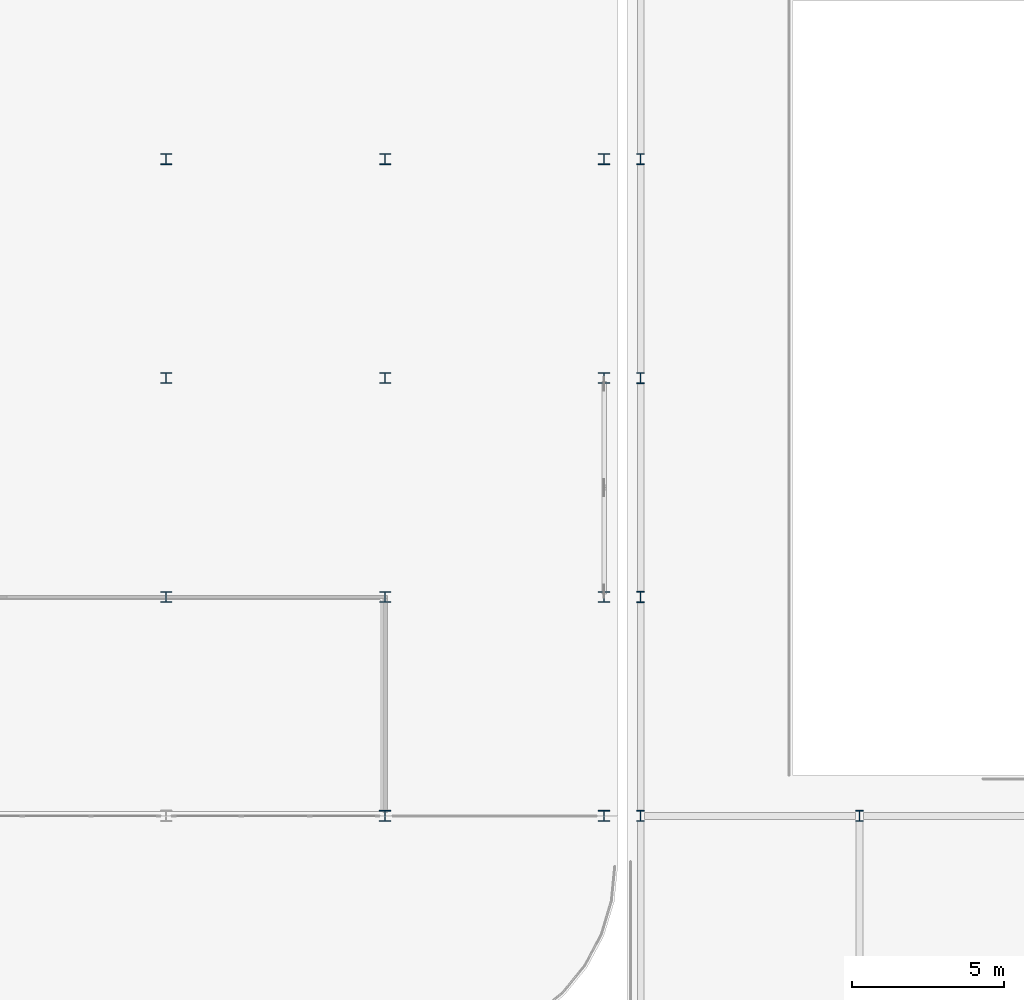
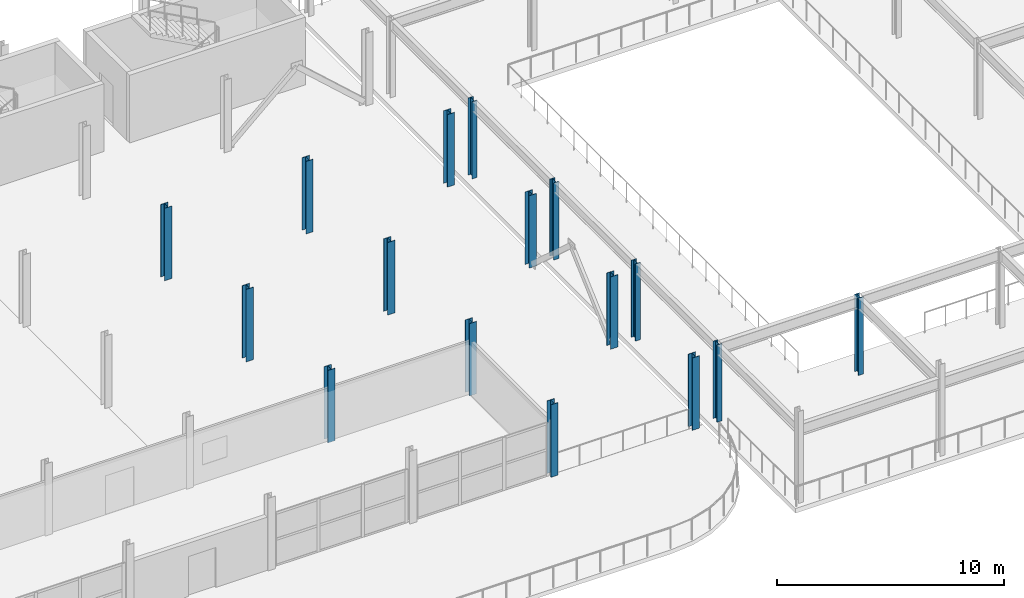
# One storey, part 8 of 40: 16 columns.
"""IFC4 building model written with IfcOpenShell, lengths in metres."""

from ifc_helpers import new_model, si_unit, direction, frame, origin, origin_2d, place, context, subcontext, project, spatial, i_section, extrude, material, material_profile, profile_set, type_object, element, save


model = new_model("IFC4")

# Units and contexts
model_context = context("Model", 3, precision=1e-05, world=origin(), true_north=direction((0.0, 1.0)))
body_context = subcontext(model_context, "Body", "Model", "MODEL_VIEW")
ifc_project = project(units=[si_unit("LENGTHUNIT", "METRE"), si_unit("AREAUNIT", "SQUARE_METRE"), si_unit("VOLUMEUNIT", "CUBIC_METRE"), si_unit("PLANEANGLEUNIT", "RADIAN"), si_unit("MASSUNIT", "GRAM", prefix="KILO")], contexts=[model_context])

# Site, building, storey
site_placement = place(None, origin())
site = spatial("IfcSite", under=ifc_project, at=site_placement, CompositionType="ELEMENT")
building_placement = place(site_placement, origin())
building = spatial("IfcBuilding", under=site, at=building_placement, Name="Vaelcorin Mobility Hub", CompositionType="ELEMENT")
storey_placement = place(building_placement, frame((0.0, 0.0, 17.10009765625)))
storey = spatial("IfcBuildingStorey", under=building, at=storey_placement, Name="L04", CompositionType="ELEMENT", Elevation=17.10009765625)

# Columns
ifc_material = material(Name="Steel ASTM A992 Grade 50", Category="steel")
ifc_material_profile_1 = material_profile(ifc_material, i_section(OverallWidth=0.37109375, OverallDepth=0.363037109375, WebThickness=0.01318359375, FlangeThickness=0.021728515625, FilletRadius=0.014892578125, at=origin_2d()), Name="W14X109")
ifc_profile_set_1 = profile_set([ifc_material_profile_1], Name="Steel ASTM A992 Grade 50")
column_type_1 = type_object("IfcColumnType", Name="COL-W14X109", PredefinedType="COLUMN", material=ifc_profile_set_1)
for number, where, z_axis, x_axis, name in (
    (1, (115.199951171875, 84.0, 0.0), (0.0, 0.0, 1.0), (1.0, 0.0, 0.0), "Column V4-X12Y02 L04"),
    (2, (122.39990234375, 84.0, 0.0), (0.0, 0.0, 1.0), (1.0, 0.0, 0.0), "Column V4-X13Y02 L04"),
):
    element("IfcColumn", number, at=place(storey_placement, frame(where, z_axis=z_axis, x_axis=x_axis)), inside=storey, type_object=column_type_1, Name=name, PredefinedType="COLUMN", context=body_context, shape_type="SweptSolid", body=[
        extrude(i_section(OverallWidth=0.37109375, OverallDepth=0.363037109375, WebThickness=0.01318359375, FlangeThickness=0.021728515625, FilletRadius=0.014892578125, at=origin_2d()), origin(), (0.0, 0.0, 1.0), 3.89990234375),
    ])
ifc_material_profile_2 = material_profile(ifc_material, i_section(OverallWidth=0.257080078125, OverallDepth=0.363037109375, WebThickness=0.012939453125, FlangeThickness=0.021728515625, FilletRadius=0.014892578125, at=origin_2d()), Name="W14X82")
ifc_profile_set_2 = profile_set([ifc_material_profile_2], Name="Steel ASTM A992 Grade 50")
column_type_2 = type_object("IfcColumnType", Name="COL-W14X82", PredefinedType="COLUMN", material=ifc_profile_set_2)
for number, where, z_axis, x_axis, name in (
    (3, (123.60009765625, 84.0, 0.0), (0.0, 0.0, 1.0), (1.0, 0.0, 0.0), "Column V2E-G1x2 L04"),
    (4, (123.60009765625, 91.199951171875, 0.0), (0.0, 0.0, 1.0), (1.0, 0.0, 0.0), "Column V2E-G1x3 L04"),
    (5, (123.60009765625, 98.39990234375, 0.0), (0.0, 0.0, 1.0), (1.0, 0.0, 0.0), "Column V2E-G1x4 L04"),
    (6, (123.60009765625, 105.60009765625, 0.0), (0.0, 0.0, 1.0), (1.0, 0.0, 0.0), "Column V2E-G1x5 L04"),
    (7, (130.800048828125, 84.0, 0.0), (0.0, 0.0, 1.0), (1.0, 0.0, 0.0), "Column V2E-G2x2 L04"),
):
    element("IfcColumn", number, at=place(storey_placement, frame(where, z_axis=z_axis, x_axis=x_axis)), inside=storey, type_object=column_type_2, Name=name, PredefinedType="COLUMN", context=body_context, shape_type="SweptSolid", body=[
        extrude(i_section(OverallWidth=0.257080078125, OverallDepth=0.363037109375, WebThickness=0.012939453125, FlangeThickness=0.021728515625, FilletRadius=0.014892578125, at=origin_2d()), origin(), (0.0, 0.0, 1.0), 4.14990234375),
    ])
ifc_material_profile_3 = material_profile(ifc_material, i_section(OverallWidth=0.367919921875, OverallDepth=0.35595703125, WebThickness=0.01123046875, FlangeThickness=0.01806640625, FilletRadius=0.014892578125, at=origin_2d()), Name="W14X90")
ifc_profile_set_3 = profile_set([ifc_material_profile_3], Name="Steel ASTM A992 Grade 50")
column_type_3 = type_object("IfcColumnType", Name="COL-W14X90", PredefinedType="COLUMN", material=ifc_profile_set_3)
for number, where, z_axis, x_axis, name in (
    (8, (108.0, 91.199951171875, 0.0), (0.0, 0.0, 1.0), (1.0, 0.0, 0.0), "Column V4-X11Y03 L04"),
    (9, (108.0, 98.39990234375, 0.0), (0.0, 0.0, 1.0), (1.0, 0.0, 0.0), "Column V4-X11Y04 L04"),
    (10, (108.0, 105.60009765625, 0.0), (0.0, 0.0, 1.0), (1.0, 0.0, 0.0), "Column V4-X11Y05 L04"),
    (11, (115.199951171875, 91.199951171875, 0.0), (0.0, 0.0, 1.0), (1.0, 0.0, 0.0), "Column V4-X12Y03 L04"),
    (12, (115.199951171875, 98.39990234375, 0.0), (0.0, 0.0, 1.0), (1.0, 0.0, 0.0), "Column V4-X12Y04 L04"),
    (13, (115.199951171875, 105.60009765625, 0.0), (0.0, 0.0, 1.0), (1.0, 0.0, 0.0), "Column V4-X12Y05 L04"),
    (14, (122.39990234375, 91.199951171875, 0.0), (0.0, 0.0, 1.0), (1.0, 0.0, 0.0), "Column V4-X13Y03 L04"),
    (15, (122.39990234375, 98.39990234375, 0.0), (0.0, 0.0, 1.0), (1.0, 0.0, 0.0), "Column V4-X13Y04 L04"),
    (16, (122.39990234375, 105.60009765625, 0.0), (0.0, 0.0, 1.0), (1.0, 0.0, 0.0), "Column V4-X13Y05 L04"),
):
    element("IfcColumn", number, at=place(storey_placement, frame(where, z_axis=z_axis, x_axis=x_axis)), inside=storey, type_object=column_type_3, Name=name, PredefinedType="COLUMN", context=body_context, shape_type="SweptSolid", body=[
        extrude(i_section(OverallWidth=0.367919921875, OverallDepth=0.35595703125, WebThickness=0.01123046875, FlangeThickness=0.01806640625, FilletRadius=0.014892578125, at=origin_2d()), origin(), (0.0, 0.0, 1.0), 3.89990234375),
    ])

save(model, "model.ifc")
